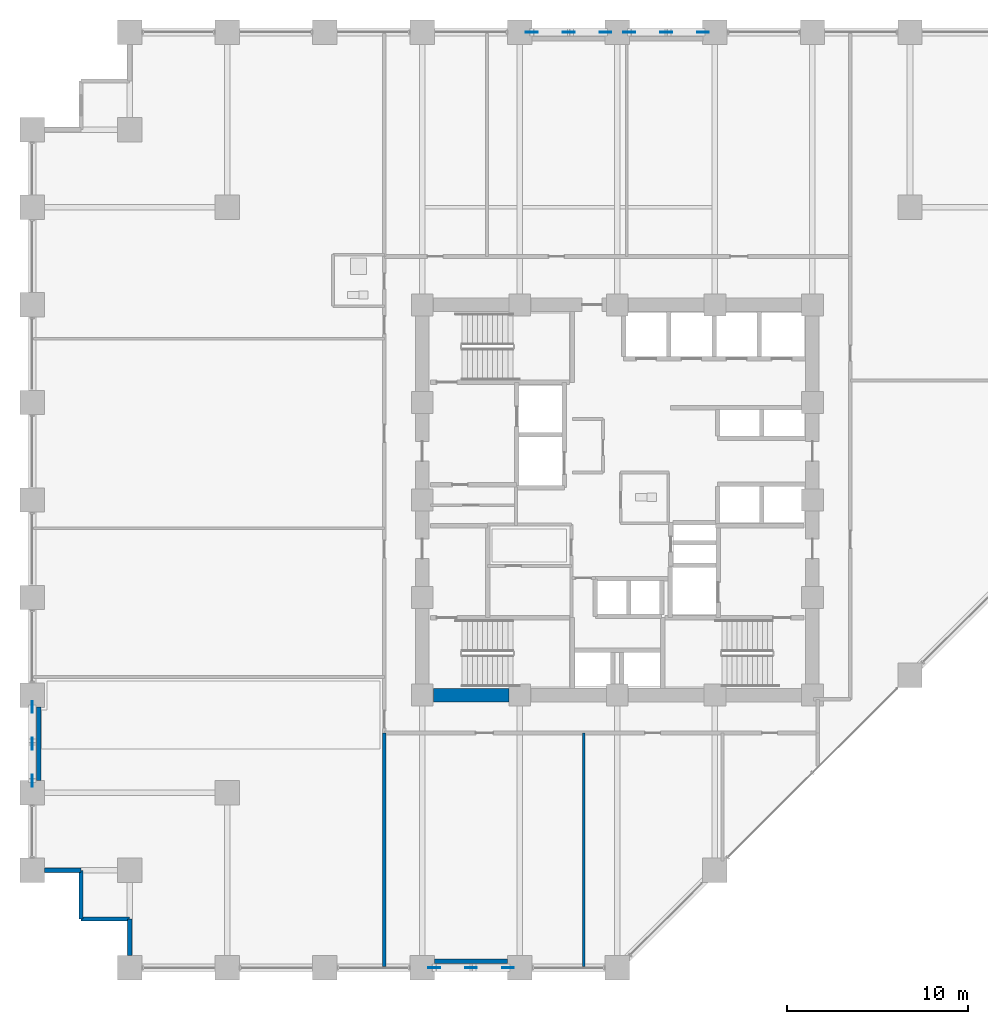
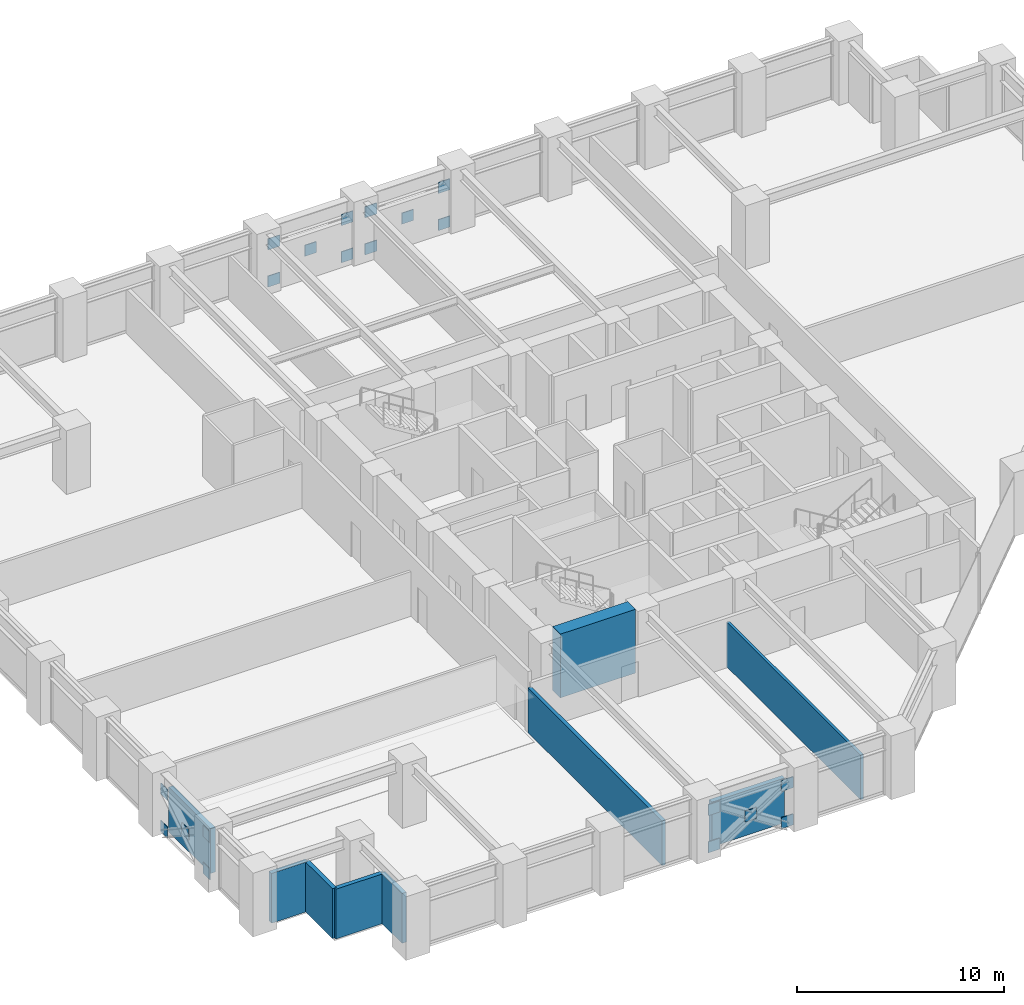
# One storey, part 19 of 25: 20 plates, 9 walls.
"""IFC4 building model written with IfcOpenShell, lengths in metres."""

from ifc_helpers import new_model, si_unit, direction, frame, frame_2d, origin, origin_2d, place, context, subcontext, project, spatial, rectangle, extrude, material, layer, layer_set, type_object, element, save


model = new_model("IFC4")

# Units and contexts
model_context = context("Model", 3, precision=1e-05, world=origin(), true_north=direction((0.0, 1.0)))
body_context = subcontext(model_context, "Body", "Model", "MODEL_VIEW")
ifc_project = project(units=[si_unit("LENGTHUNIT", "METRE"), si_unit("AREAUNIT", "SQUARE_METRE"), si_unit("VOLUMEUNIT", "CUBIC_METRE"), si_unit("PLANEANGLEUNIT", "RADIAN"), si_unit("MASSUNIT", "GRAM", prefix="KILO")], contexts=[model_context])

# Site, building, storey
site_placement = place(None, origin())
site = spatial("IfcSite", under=ifc_project, at=site_placement, CompositionType="ELEMENT")
building_placement = place(site_placement, origin())
building = spatial("IfcBuilding", under=site, at=building_placement, Name="Surkhivell Harbour Commons", CompositionType="ELEMENT")
storey_placement = place(building_placement, frame((0.0, 0.0, 45.0)))
storey = spatial("IfcBuildingStorey", under=building, at=storey_placement, Name="L11", CompositionType="ELEMENT", Elevation=45.0)

# Plates
ifc_material_1 = material(Name="Steel S460", Category="steel")
ifc_layer_1 = layer(ifc_material_1, 0.044921875)
ifc_layer_set_1 = layer_set([ifc_layer_1], Name="Steel S460")
plate_type = type_object("IfcPlateType", Name="PLT-GUS-650", PredefinedType="USERDEFINED", material=ifc_layer_set_1)
for number, where, z_axis, x_axis, name in (
    (1, (-4.739990234375, 25.89990234375, -0.08935546875), (0.0, 0.0, 1.0), (1.0, 0.0, 0.0), "L11 Perimeter Mega-Brace MB- Corner Gusset N-1"),
    (2, (-0.659912109375, 25.89990234375, -0.08935546875), (0.0, 0.0, 1.0), (1.0, 0.0, 0.0), "L11 Perimeter Mega-Brace MB- Corner Gusset N-2"),
    (3, (-4.739990234375, 25.89990234375, 2.1005859375), (0.0, 0.0, 1.0), (1.0, 0.0, 0.0), "L11 Perimeter Mega-Brace MB- Corner Gusset N-3"),
    (4, (-0.659912109375, 25.89990234375, 2.1005859375), (0.0, 0.0, 1.0), (1.0, 0.0, 0.0), "L11 Perimeter Mega-Brace MB- Corner Gusset N-4"),
    (5, (-2.699951171875, 25.89990234375, 1.005615234375), (0.0, 0.0, 1.0), (1.0, 0.0, 0.0), "L11 Perimeter Mega-Brace MB- Central Crossing Gusset N"),
    (6, (0.659912109375, 25.89990234375, -0.08935546875), (0.0, 0.0, 1.0), (1.0, 0.0, 0.0), "L11 Perimeter Mega-Brace MB- Corner Gusset N2-1"),
    (7, (4.739990234375, 25.89990234375, -0.08935546875), (0.0, 0.0, 1.0), (1.0, 0.0, 0.0), "L11 Perimeter Mega-Brace MB- Corner Gusset N2-2"),
    (8, (0.659912109375, 25.89990234375, 2.1005859375), (0.0, 0.0, 1.0), (1.0, 0.0, 0.0), "L11 Perimeter Mega-Brace MB- Corner Gusset N2-3"),
    (9, (4.739990234375, 25.89990234375, 2.1005859375), (0.0, 0.0, 1.0), (1.0, 0.0, 0.0), "L11 Perimeter Mega-Brace MB- Corner Gusset N2-4"),
    (10, (2.699951171875, 25.89990234375, 1.005615234375), (0.0, 0.0, 1.0), (1.0, 0.0, 0.0), "L11 Perimeter Mega-Brace MB- Central Crossing Gusset N2"),
    (11, (-10.139892578125, -25.89990234375, -0.08935546875), (0.0, 0.0, 1.0), (1.0, 0.0, 0.0), "L11 Perimeter Mega-Brace MB- Corner Gusset S-1"),
    (12, (-6.06005859375, -25.89990234375, -0.08935546875), (0.0, 0.0, 1.0), (1.0, 0.0, 0.0), "L11 Perimeter Mega-Brace MB- Corner Gusset S-2"),
    (13, (-10.139892578125, -25.89990234375, 2.1005859375), (0.0, 0.0, 1.0), (1.0, 0.0, 0.0), "L11 Perimeter Mega-Brace MB- Corner Gusset S-3"),
    (14, (-6.06005859375, -25.89990234375, 2.1005859375), (0.0, 0.0, 1.0), (1.0, 0.0, 0.0), "L11 Perimeter Mega-Brace MB- Corner Gusset S-4"),
    (15, (-8.10009765625, -25.89990234375, 1.005615234375), (0.0, 0.0, 1.0), (1.0, 0.0, 0.0), "L11 Perimeter Mega-Brace MB- Central Crossing Gusset S"),
    (16, (-32.39990234375, -15.5400390625, -0.08935546875), (0.0, 0.0, 1.0), (0.0, 1.0, 0.0), "L11 Perimeter Mega-Brace MB- Corner Gusset W-1"),
    (17, (-32.39990234375, -11.4599609375, -0.08935546875), (0.0, 0.0, 1.0), (0.0, 1.0, 0.0), "L11 Perimeter Mega-Brace MB- Corner Gusset W-2"),
    (18, (-32.39990234375, -15.5400390625, 2.1005859375), (0.0, 0.0, 1.0), (0.0, 1.0, 0.0), "L11 Perimeter Mega-Brace MB- Corner Gusset W-3"),
    (19, (-32.39990234375, -11.4599609375, 2.1005859375), (0.0, 0.0, 1.0), (0.0, 1.0, 0.0), "L11 Perimeter Mega-Brace MB- Corner Gusset W-4"),
    (20, (-32.39990234375, -13.5, 1.005615234375), (0.0, 0.0, 1.0), (0.0, 1.0, 0.0), "L11 Perimeter Mega-Brace MB- Central Crossing Gusset W"),
):
    element("IfcPlate", number, at=place(storey_placement, frame(where, z_axis=z_axis, x_axis=x_axis)), inside=storey, type_object=plate_type, Name=name, ObjectType="GUSSET_PLATE", PredefinedType="USERDEFINED", context=body_context, shape_type="SweptSolid", body=[
        extrude(rectangle(XDim=0.64990234375, YDim=0.044921875, at=origin_2d()), origin(), (0.0, 0.0, 1.0), 0.64990234375),
    ])

# Walls
ifc_material_2 = material(Name="Concrete C60/75", Category="concrete")
ifc_layer_2 = layer(ifc_material_2, 0.75)
ifc_layer_set_2 = layer_set([ifc_layer_2], Name="Concrete C60/75")
wall_type_1 = type_object("IfcWallType", Name="WAL-CORE-750", PredefinedType="SHEAR", material=ifc_layer_set_2)
wall_1_placement = place(storey_placement, frame((-10.18994140625, -10.800048828125, 0.0), z_axis=(0.0, 0.0, 1.0), x_axis=(1.0, 0.0, 0.0)))
element("IfcWall", 21, at=wall_1_placement, inside=storey, type_object=wall_type_1, Name="L11 Core Shear Wall South 1", PredefinedType="SHEAR", context=body_context, shape_type="SweptSolid", body=[
    extrude(rectangle(XDim=4.179931640625, YDim=0.75, at=frame_2d((2.08984375, 0.0))), origin(), (0.0, 0.0, 1.0), 3.75),
])
ifc_material_3 = material(Name="Pale-metal insulated precast concrete C45/55", Category="concrete")
ifc_layer_3 = layer(ifc_material_3, 0.260009765625)
ifc_layer_set_3 = layer_set([ifc_layer_3], Name="Pale-metal insulated precast concrete C45/55")
wall_type_2 = type_object("IfcWallType", Name="WAL-EXT-MTL260", PredefinedType="STANDARD", material=ifc_layer_set_3)
wall_2_placement = place(storey_placement, frame((-10.126953125, -25.5400390625, 0.0), z_axis=(0.0, 0.0, 1.0), x_axis=(1.0, 0.0, 0.0)))
element("IfcWall", 22, at=wall_2_placement, inside=storey, type_object=wall_type_2, Name="L11 Braced-Bay Insulated Spandrel Backing S", PredefinedType="STANDARD", context=body_context, shape_type="SweptSolid", body=[
    extrude(rectangle(XDim=4.053955078125, YDim=0.260009765625, at=frame_2d((2.02685546875, 0.0))), origin(), (0.0, 0.0, 1.0), 2.62890625),
])
wall_3_placement = place(storey_placement, frame((-32.0400390625, -11.472900390625, 0.0), z_axis=(0.0, 0.0, 1.0), x_axis=(0.0, -1.0, 0.0)))
element("IfcWall", 23, at=wall_3_placement, inside=storey, type_object=wall_type_2, Name="L11 Braced-Bay Insulated Spandrel Backing W", PredefinedType="STANDARD", context=body_context, shape_type="SweptSolid", body=[
    extrude(rectangle(XDim=4.05419921875, YDim=0.260009765625, at=frame_2d((2.027099609375, 0.0))), origin(), (0.0, 0.0, 1.0), 2.62890625),
])
ifc_material_4 = material(Name="Bronze-ochre cassette precast concrete C45/55", Category="concrete")
ifc_layer_4 = layer(ifc_material_4, 0.239990234375)
ifc_layer_set_4 = layer_set([ifc_layer_4], Name="Bronze-ochre cassette precast concrete C45/55")
wall_type_3 = type_object("IfcWallType", Name="WAL-EXT-OCH240", PredefinedType="STANDARD", material=ifc_layer_set_4)
wall_4_placement = place(storey_placement, frame((-31.72705078125, -20.5, 0.0), z_axis=(0.0, 0.0, 1.0), x_axis=(1.0, 0.0, 0.0)))
element("IfcWall", 24, at=wall_4_placement, inside=storey, type_object=wall_type_3, Name="L11 Serrated Corner Facade Wall 13", PredefinedType="STANDARD", context=body_context, shape_type="SweptSolid", body=[
    extrude(rectangle(XDim=2.027099609375, YDim=0.239990234375, at=frame_2d((1.013671875, 0.0))), origin(), (0.0, 0.0, 1.0), 2.929931640625),
])
for number, where, z_axis, x_axis, name in (
    (25, (-29.699951171875, -20.5, 0.0), (0.0, 0.0, 1.0), (0.0, -1.0, 0.0), "L11 Serrated Corner Facade Wall 14"),
    (26, (-29.699951171875, -23.199951171875, 0.0), (0.0, 0.0, 1.0), (1.0, 0.0, 0.0), "L11 Serrated Corner Facade Wall 15"),
):
    element("IfcWall", number, at=place(storey_placement, frame(where, z_axis=z_axis, x_axis=x_axis)), inside=storey, type_object=wall_type_3, Name=name, PredefinedType="STANDARD", context=body_context, shape_type="SweptSolid", body=[
        extrude(rectangle(XDim=2.699951171875, YDim=0.239990234375, at=frame_2d((1.35009765625, 0.0))), origin(), (0.0, 0.0, 1.0), 2.929931640625),
    ])
wall_5_placement = place(storey_placement, frame((-27.0, -23.199951171875, 0.0), z_axis=(0.0, 0.0, 1.0), x_axis=(0.0, -1.0, 0.0)))
element("IfcWall", 27, at=wall_5_placement, inside=storey, type_object=wall_type_3, Name="L11 Serrated Corner Facade Wall 16", PredefinedType="STANDARD", context=body_context, shape_type="SweptSolid", body=[
    extrude(rectangle(XDim=2.027099609375, YDim=0.239990234375, at=frame_2d((1.013671875, 0.0))), origin(), (0.0, 0.0, 1.0), 2.929931640625),
])
ifc_material_5 = material(Name="Twin-stud acoustic fireboard partition", Category="other")
ifc_layer_5 = layer(ifc_material_5, 0.14990234375)
ifc_layer_set_5 = layer_set([ifc_layer_5], Name="Twin-stud acoustic fireboard partition")
wall_type_4 = type_object("IfcWallType", Name="WAL-INT-150", PredefinedType="PARTITIONING", material=ifc_layer_set_5)
wall_6_placement = place(storey_placement, frame((-1.860107421875, -25.840087890625, 0.0), z_axis=(0.0, 0.0, 1.0), x_axis=(0.0, 1.0, 0.0)))
element("IfcWall", 28, at=wall_6_placement, inside=storey, type_object=wall_type_4, Name="L11 South Partition P1", PredefinedType="PARTITIONING", context=body_context, shape_type="SweptSolid", body=[
    extrude(rectangle(XDim=12.940185546875, YDim=0.14990234375, at=frame_2d((6.47021484375, 0.0))), origin(), (0.0, 0.0, 1.0), 2.62890625),
])
ifc_material_6 = material(Name="Autoclaved aerated concrete blockwork and fire plaster", Category="masonry")
ifc_layer_6 = layer(ifc_material_6, 0.199951171875)
ifc_layer_set_6 = layer_set([ifc_layer_6], Name="Autoclaved aerated concrete blockwork and fire plaster")
wall_type_5 = type_object("IfcWallType", Name="WAL-INT-200", PredefinedType="PARTITIONING", material=ifc_layer_set_6)
wall_7_placement = place(storey_placement, frame((-12.89990234375, -25.840087890625, 0.0), z_axis=(0.0, 0.0, 1.0), x_axis=(0.0, 1.0, 0.0)))
element("IfcWall", 29, at=wall_7_placement, inside=storey, type_object=wall_type_5, Name="L11 South-West Wing Corner Divider", PredefinedType="PARTITIONING", context=body_context, shape_type="SweptSolid", body=[
    extrude(rectangle(XDim=12.940185546875, YDim=0.199951171875, at=frame_2d((6.47021484375, 0.0))), origin(), (0.0, 0.0, 1.0), 2.62890625),
])

save(model, "model.ifc")
